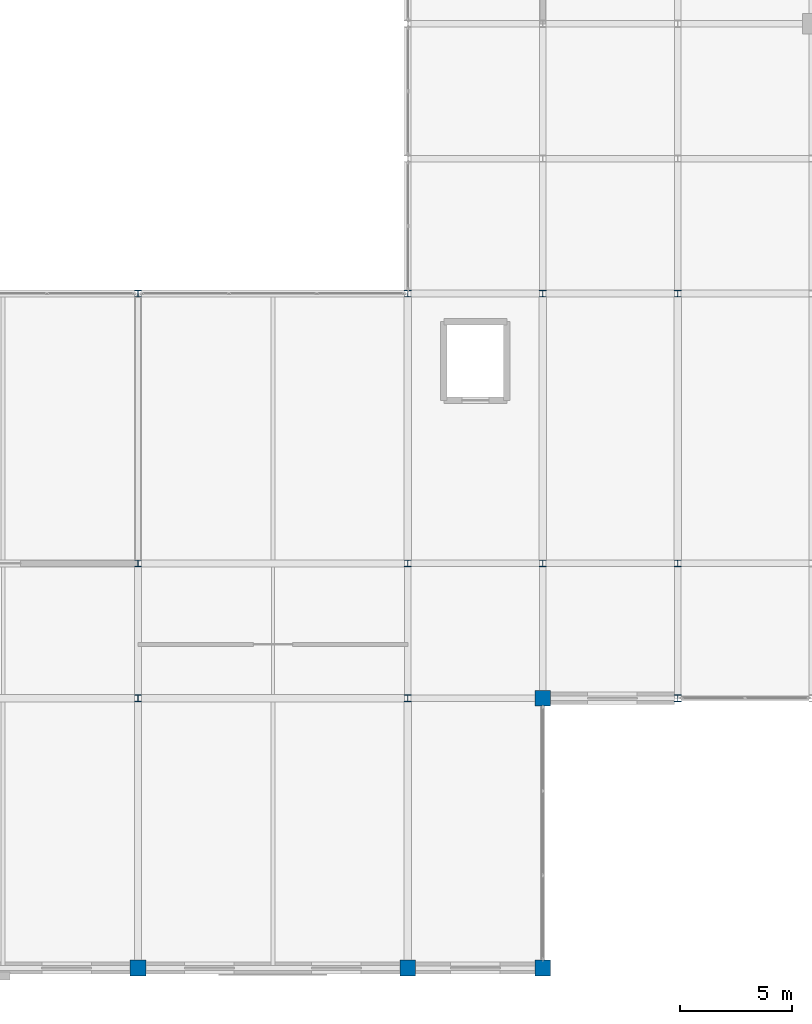
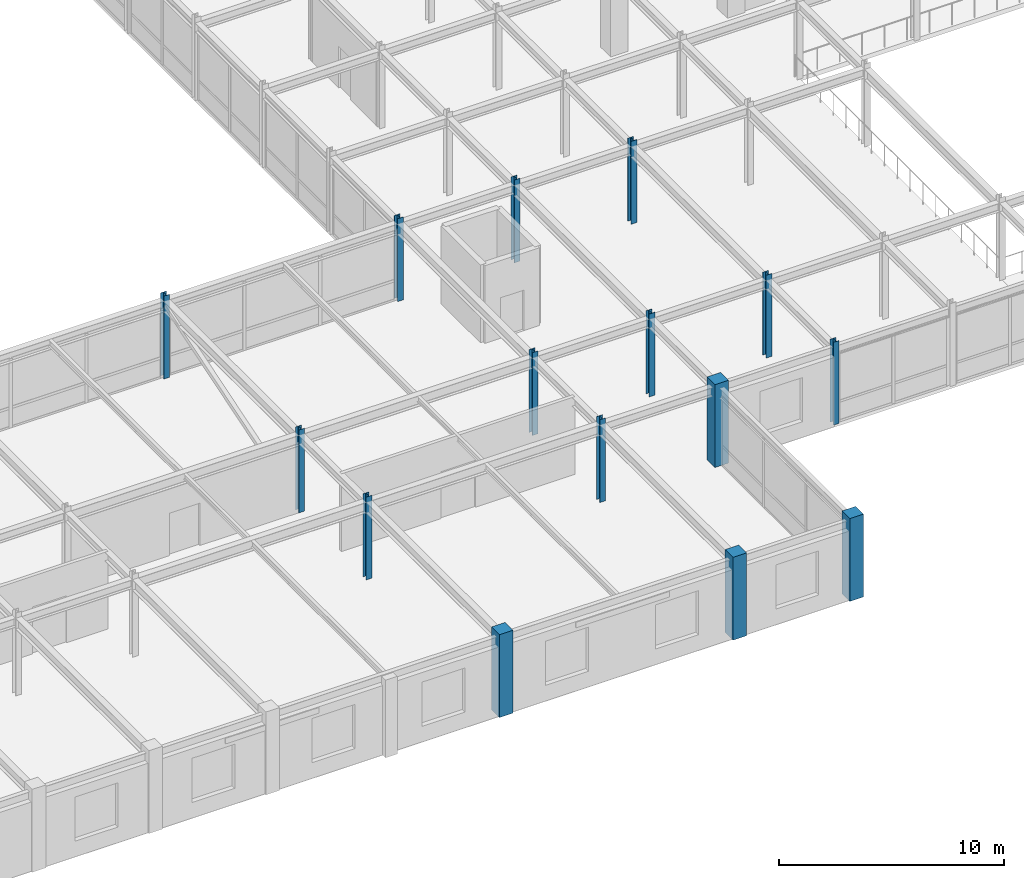
# One storey, part 3 of 108: 15 columns.
"""IFC4 building model written with IfcOpenShell, lengths in metres."""

from ifc_helpers import new_model, si_unit, direction, frame, origin, origin_2d, place, context, subcontext, project, spatial, rectangle, i_section, extrude, material, material_profile, profile_set, type_object, element, save


model = new_model("IFC4")

# Units and contexts
model_context = context("Model", 3, precision=1e-05, world=origin(), true_north=direction((0.0, 1.0)))
body_context = subcontext(model_context, "Body", "Model", "MODEL_VIEW")
ifc_project = project(units=[si_unit("LENGTHUNIT", "METRE"), si_unit("AREAUNIT", "SQUARE_METRE"), si_unit("VOLUMEUNIT", "CUBIC_METRE"), si_unit("PLANEANGLEUNIT", "RADIAN"), si_unit("MASSUNIT", "GRAM", prefix="KILO")], contexts=[model_context])

# Site, building, storey
site_placement = place(None, origin())
site = spatial("IfcSite", under=ifc_project, at=site_placement, CompositionType="ELEMENT")
building_placement = place(site_placement, origin())
building = spatial("IfcBuilding", under=site, at=building_placement, Name="Zlatovratsky Civic Hall", CompositionType="ELEMENT")
storey_placement = place(building_placement, frame((0.0, 0.0, 12.0)))
storey = spatial("IfcBuildingStorey", under=building, at=storey_placement, Name="L03", CompositionType="ELEMENT", Elevation=12.0)

# Columns
ifc_material_1 = material(Name="Concrete C35/45 (B40)", Category="concrete")
ifc_material_profile_1 = material_profile(ifc_material_1, rectangle(XDim=0.699951171875, YDim=0.699951171875, at=origin_2d()), Name="RC 700x700")
ifc_profile_set_1 = profile_set([ifc_material_profile_1], Name="Concrete C35/45 (B40)")
column_type_1 = type_object("IfcColumnType", Name="Col_CorePier_RC700", PredefinedType="COLUMN", material=ifc_profile_set_1)
for number, where, z_axis, x_axis, name in (
    (1, (36.0, 0.0, 0.0), (0.0, 0.0, 1.0), (1.0, 0.0, 0.0), "CL-1193"),
    (2, (48.0, 0.0, 0.0), (0.0, 0.0, 1.0), (1.0, 0.0, 0.0), "CL-1194"),
    (3, (54.0, 0.0, 0.0), (0.0, 0.0, 1.0), (1.0, 0.0, 0.0), "CL-1195"),
    (4, (54.0, 12.0, 0.0), (0.0, 0.0, 1.0), (1.0, 0.0, 0.0), "CL-1209"),
):
    element("IfcColumn", number, at=place(storey_placement, frame(where, z_axis=z_axis, x_axis=x_axis)), inside=storey, type_object=column_type_1, Name=name, PredefinedType="COLUMN", context=body_context, shape_type="SweptSolid", body=[
        extrude(rectangle(XDim=0.699951171875, YDim=0.699951171875, at=origin_2d()), origin(), (0.0, 0.0, 1.0), 4.5),
    ])
ifc_material_2 = material(Name="Steel S355", Category="steel")
ifc_material_profile_2 = material_profile(ifc_material_2, i_section(OverallWidth=0.299072265625, OverallDepth=0.2958984375, WebThickness=0.009033203125, FlangeThickness=0.013916015625, FilletRadius=0.01806640625, at=origin_2d()), Name="30K1")
ifc_profile_set_2 = profile_set([ifc_material_profile_2], Name="Steel S355")
column_type_2 = type_object("IfcColumnType", Name="Col_Steel_30K1", PredefinedType="COLUMN", material=ifc_profile_set_2)
for number, where, z_axis, x_axis, name in (
    (5, (36.0, 12.0, 0.0), (0.0, 0.0, 1.0), (1.0, 0.0, 0.0), "CL-1207"),
    (6, (48.0, 12.0, 0.0), (0.0, 0.0, 1.0), (1.0, 0.0, 0.0), "CL-1208"),
    (7, (60.0, 12.0, 0.0), (0.0, 0.0, 1.0), (1.0, 0.0, 0.0), "CL-1210"),
    (8, (36.0, 18.0, 0.0), (0.0, 0.0, 1.0), (1.0, 0.0, 0.0), "CL-1230"),
    (9, (48.0, 18.0, 0.0), (0.0, 0.0, 1.0), (1.0, 0.0, 0.0), "CL-1231"),
    (10, (54.0, 18.0, 0.0), (0.0, 0.0, 1.0), (1.0, 0.0, 0.0), "CL-1232"),
    (11, (60.0, 18.0, 0.0), (0.0, 0.0, 1.0), (1.0, 0.0, 0.0), "CL-1233"),
    (12, (36.0, 30.0, 0.0), (0.0, 0.0, 1.0), (1.0, 0.0, 0.0), "CL-1253"),
    (13, (48.0, 30.0, 0.0), (0.0, 0.0, 1.0), (1.0, 0.0, 0.0), "CL-1254"),
    (14, (54.0, 30.0, 0.0), (0.0, 0.0, 1.0), (1.0, 0.0, 0.0), "CL-1255"),
    (15, (60.0, 30.0, 0.0), (0.0, 0.0, 1.0), (1.0, 0.0, 0.0), "CL-1256"),
):
    element("IfcColumn", number, at=place(storey_placement, frame(where, z_axis=z_axis, x_axis=x_axis)), inside=storey, type_object=column_type_2, Name=name, PredefinedType="COLUMN", context=body_context, shape_type="SweptSolid", body=[
        extrude(i_section(OverallWidth=0.299072265625, OverallDepth=0.2958984375, WebThickness=0.009033203125, FlangeThickness=0.013916015625, FilletRadius=0.01806640625, at=origin_2d()), origin(), (0.0, 0.0, 1.0), 4.5),
    ])

save(model, "model.ifc")
